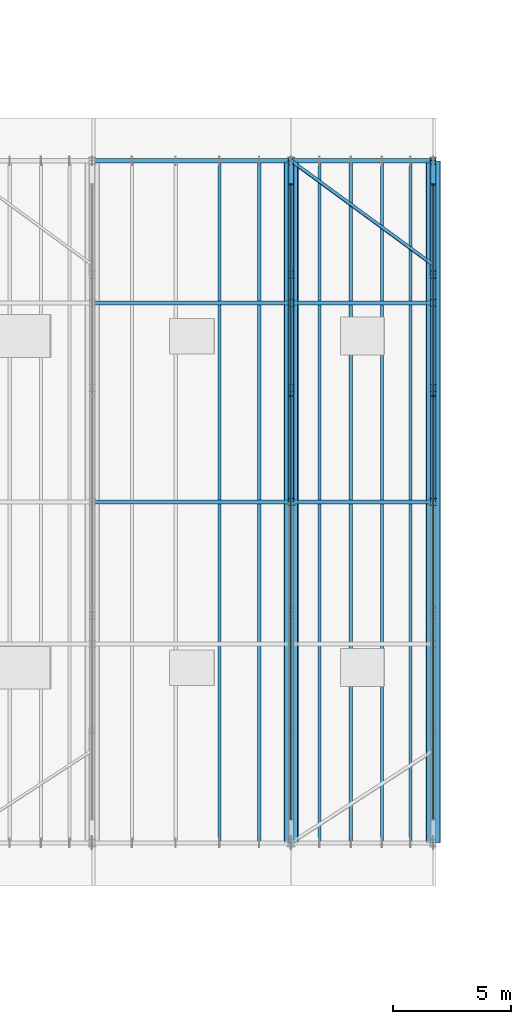
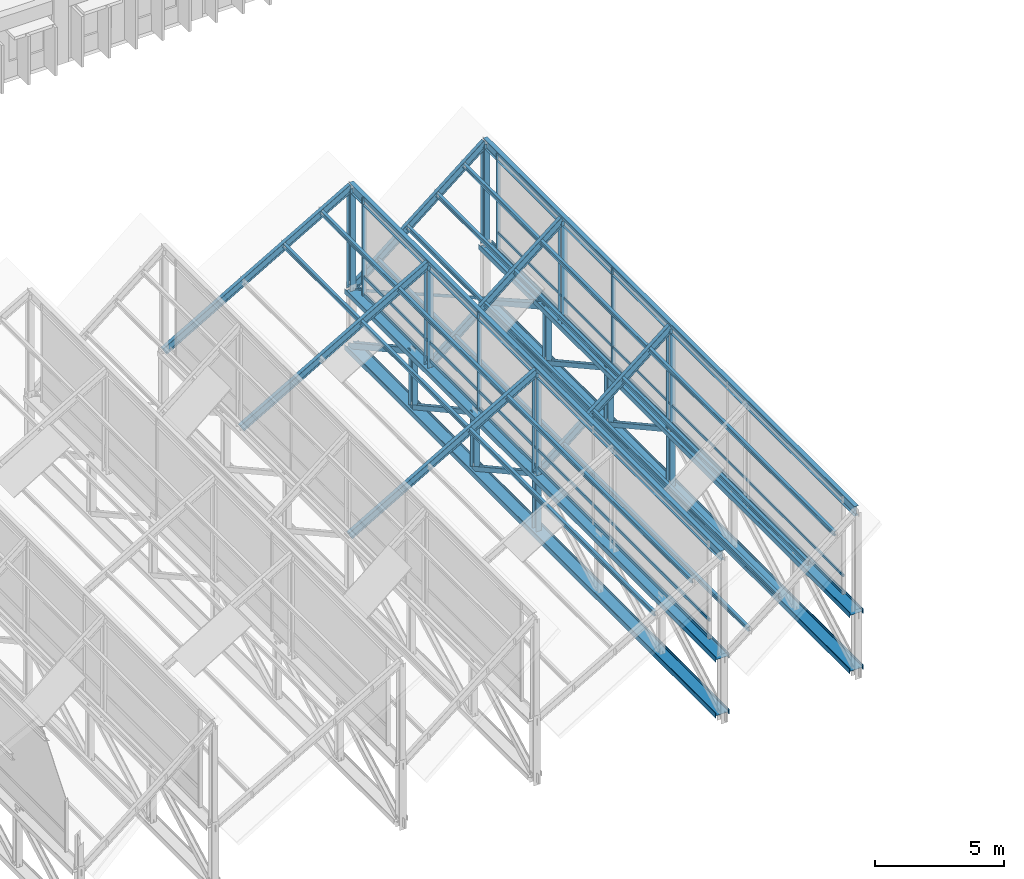
# One storey, part 26 of 101: 39 members, 8 beams, 2 elements without a shape of their own.
"""IFC4 building model written with IfcOpenShell, lengths in metres."""

from ifc_helpers import new_model, si_unit, direction, frame, origin, origin_2d, place, context, subcontext, project, spatial, rectangle, i_section, l_section, extrude, material, material_profile, profile_set, type_object, element, aggregate, save


model = new_model("IFC4")

# Units and contexts
model_context = context("Model", 3, precision=1e-05, world=origin(), true_north=direction((0.0, 1.0)))
body_context = subcontext(model_context, "Body", "Model", "MODEL_VIEW")
ifc_project = project(units=[si_unit("LENGTHUNIT", "METRE"), si_unit("AREAUNIT", "SQUARE_METRE"), si_unit("VOLUMEUNIT", "CUBIC_METRE"), si_unit("PLANEANGLEUNIT", "RADIAN"), si_unit("MASSUNIT", "GRAM", prefix="KILO"), si_unit("THERMODYNAMICTEMPERATUREUNIT", "KELVIN")], contexts=[model_context])

# Site, building, storey
site_placement = place(None, origin())
site = spatial("IfcSite", under=ifc_project, at=site_placement, CompositionType="ELEMENT")
building_placement = place(site_placement, origin())
building = spatial("IfcBuilding", under=site, at=building_placement, Name="Thalorik Housing Commons", CompositionType="ELEMENT")
storey_placement = place(building_placement, frame((0.0, 0.0, 8.10009765625)))
storey = spatial("IfcBuildingStorey", under=building, at=storey_placement, Name="L02", CompositionType="ELEMENT", Elevation=8.10009765625)

# Curtain wall, members
ifc_material_1 = material(Name="Anodised aluminium and solar-control low-E glass", Category="aluminium")
curtain_wall_type = type_object("IfcCurtainWallType", Name="ARC-CW-CLER", PredefinedType="USERDEFINED", material=ifc_material_1)
curtain_wall_1_placement = place(storey_placement, origin())
curtain_wall_1 = element("IfcCurtainWall", 1, at=curtain_wall_1_placement, inside=storey, type_object=curtain_wall_type, Name="L02 Curtain Wall CW-SAW-CLER-07", ObjectType="CURTAIN WALL", PredefinedType="USERDEFINED")
ifc_material_2 = material(Name="Anodised aluminium 6063-T6", Category="aluminium")
ifc_material_profile_1 = material_profile(ifc_material_2, rectangle(XDim=0.06005859375, YDim=0.159912109375, at=origin_2d()), Name="ALU MUL 60x160", Category="aluminium")
ifc_profile_set_1 = profile_set([ifc_material_profile_1], Name="Anodised aluminium 6063-T6")
member_type_1 = type_object("IfcMemberType", Name="ARC-CW-MUL-60x160", PredefinedType="MULLION", material=ifc_profile_set_1)
member_1_placement = place(storey_placement, frame((115.199951171875, 76.466796875, 3.2998046875), z_axis=(0.0, 0.0, 1.0), x_axis=(0.0, 1.0, 0.0)))
member_1 = element("IfcMember", 2, at=member_1_placement, type_object=member_type_1, Name="CW-SAW-CLER-07 Mullion 3", PredefinedType="MULLION", context=body_context, shape_type="SweptSolid", body=[
    extrude(rectangle(XDim=0.06005859375, YDim=0.159912109375, at=origin_2d()), origin(), (0.0, 0.0, 1.0), 4.650146484375),
])
member_2_placement = place(storey_placement, frame((115.199951171875, 85.39990234375, 3.2998046875), z_axis=(0.0, 0.0, 1.0), x_axis=(0.0, 1.0, 0.0)))
member_2 = element("IfcMember", 3, at=member_2_placement, type_object=member_type_1, Name="CW-SAW-CLER-07 Mullion 4", PredefinedType="MULLION", context=body_context, shape_type="SweptSolid", body=[
    extrude(rectangle(XDim=0.06005859375, YDim=0.159912109375, at=origin_2d()), origin(), (0.0, 0.0, 1.0), 4.650146484375),
])

curtain_wall_2_placement = place(storey_placement, origin())
curtain_wall_2 = element("IfcCurtainWall", 4, at=curtain_wall_2_placement, inside=storey, type_object=curtain_wall_type, Name="L02 Curtain Wall CW-SAW-CLER-06", ObjectType="CURTAIN WALL", PredefinedType="USERDEFINED")
ifc_material_profile_2 = material_profile(ifc_material_2, rectangle(XDim=0.06494140625, YDim=0.179931640625, at=origin_2d()), Name="ALU MUL 65x180", Category="aluminium")
ifc_profile_set_2 = profile_set([ifc_material_profile_2], Name="Anodised aluminium 6063-T6")
member_type_2 = type_object("IfcMemberType", Name="ARC-CW-MUL-65x180", PredefinedType="MULLION", material=ifc_profile_set_2)
member_3_placement = place(storey_placement, frame((109.199951171875, 76.466796875, 3.2998046875), z_axis=(0.0, 0.0, 1.0), x_axis=(0.0, 1.0, 0.0)))
member_3 = element("IfcMember", 5, at=member_3_placement, type_object=member_type_2, Name="CW-SAW-CLER-06 Mullion 3", PredefinedType="MULLION", context=body_context, shape_type="SweptSolid", body=[
    extrude(rectangle(XDim=0.06494140625, YDim=0.179931640625, at=origin_2d()), origin(), (0.0, 0.0, 1.0), 4.650146484375),
])
member_4_placement = place(storey_placement, frame((109.199951171875, 85.39990234375, 3.2998046875), z_axis=(0.0, 0.0, 1.0), x_axis=(0.0, 1.0, 0.0)))
member_4 = element("IfcMember", 6, at=member_4_placement, type_object=member_type_2, Name="CW-SAW-CLER-06 Mullion 4", PredefinedType="MULLION", context=body_context, shape_type="SweptSolid", body=[
    extrude(rectangle(XDim=0.06494140625, YDim=0.179931640625, at=origin_2d()), origin(), (0.0, 0.0, 1.0), 4.650146484375),
])

# Member
ifc_material_profile_3 = material_profile(ifc_material_2, rectangle(XDim=0.06005859375, YDim=0.1201171875, at=origin_2d()), Name="ALU TRN 60x120", Category="aluminium")
ifc_profile_set_3 = profile_set([ifc_material_profile_3], Name="Anodised aluminium 6063-T6")
member_type_3 = type_object("IfcMemberType", Name="ARC-CW-TRN-60x120", PredefinedType="USERDEFINED", material=ifc_profile_set_3)
member_5_placement = place(storey_placement, frame((115.199951171875, 58.60009765625, 3.35498046875), z_axis=(0.0, 1.0, 0.0), x_axis=(-1.0, 0.0, 0.0)))
member_5 = element("IfcMember", 7, at=member_5_placement, type_object=member_type_3, Name="CW-SAW-CLER-07 Transom 1", ObjectType="TRANSOM", PredefinedType="USERDEFINED", context=body_context, shape_type="SweptSolid", body=[
    extrude(rectangle(XDim=0.06005859375, YDim=0.1201171875, at=origin_2d()), origin(), (0.0, 0.0, 1.0), 26.7998046875),
])

member_6_placement = place(storey_placement, frame((115.199951171875, 58.60009765625, 4.179931640625), z_axis=(0.0, 1.0, 0.0), x_axis=(-1.0, 0.0, 0.0)))
member_6 = element("IfcMember", 8, at=member_6_placement, type_object=member_type_3, Name="CW-SAW-CLER-07 Transom 2", ObjectType="TRANSOM", PredefinedType="USERDEFINED", context=body_context, shape_type="SweptSolid", body=[
    extrude(rectangle(XDim=0.06005859375, YDim=0.1201171875, at=origin_2d()), origin(), (0.0, 0.0, 1.0), 26.7998046875),
])

member_7_placement = place(storey_placement, frame((115.199951171875, 58.60009765625, 7.89501953125), z_axis=(0.0, 1.0, 0.0), x_axis=(-1.0, 0.0, 0.0)))
member_7 = element("IfcMember", 9, at=member_7_placement, type_object=member_type_3, Name="CW-SAW-CLER-07 Transom 3", ObjectType="TRANSOM", PredefinedType="USERDEFINED", context=body_context, shape_type="SweptSolid", body=[
    extrude(rectangle(XDim=0.06005859375, YDim=0.1201171875, at=origin_2d()), origin(), (0.0, 0.0, 1.0), 26.7998046875),
])

aggregate(curtain_wall_1, [member_1, member_2, member_5, member_6, member_7])

ifc_material_profile_4 = material_profile(ifc_material_2, rectangle(XDim=0.06494140625, YDim=0.14990234375, at=origin_2d()), Name="ALU TRN 65x150", Category="aluminium")
ifc_profile_set_4 = profile_set([ifc_material_profile_4], Name="Anodised aluminium 6063-T6")
member_type_4 = type_object("IfcMemberType", Name="ARC-CW-TRN-65x150", PredefinedType="USERDEFINED", material=ifc_profile_set_4)
member_8_placement = place(storey_placement, frame((109.199951171875, 58.60009765625, 3.35498046875), z_axis=(0.0, 1.0, 0.0), x_axis=(-1.0, 0.0, 0.0)))
member_8 = element("IfcMember", 10, at=member_8_placement, type_object=member_type_4, Name="CW-SAW-CLER-06 Transom 1", ObjectType="TRANSOM", PredefinedType="USERDEFINED", context=body_context, shape_type="SweptSolid", body=[
    extrude(rectangle(XDim=0.06494140625, YDim=0.14990234375, at=origin_2d()), origin(), (0.0, 0.0, 1.0), 26.7998046875),
])

member_9_placement = place(storey_placement, frame((109.199951171875, 58.60009765625, 4.179931640625), z_axis=(0.0, 1.0, 0.0), x_axis=(-1.0, 0.0, 0.0)))
member_9 = element("IfcMember", 11, at=member_9_placement, type_object=member_type_4, Name="CW-SAW-CLER-06 Transom 2", ObjectType="TRANSOM", PredefinedType="USERDEFINED", context=body_context, shape_type="SweptSolid", body=[
    extrude(rectangle(XDim=0.06494140625, YDim=0.14990234375, at=origin_2d()), origin(), (0.0, 0.0, 1.0), 26.7998046875),
])

member_10_placement = place(storey_placement, frame((109.199951171875, 58.60009765625, 7.89501953125), z_axis=(0.0, 1.0, 0.0), x_axis=(-1.0, 0.0, 0.0)))
member_10 = element("IfcMember", 12, at=member_10_placement, type_object=member_type_4, Name="CW-SAW-CLER-06 Transom 3", ObjectType="TRANSOM", PredefinedType="USERDEFINED", context=body_context, shape_type="SweptSolid", body=[
    extrude(rectangle(XDim=0.06494140625, YDim=0.14990234375, at=origin_2d()), origin(), (0.0, 0.0, 1.0), 26.7998046875),
])

aggregate(curtain_wall_2, [member_3, member_4, member_8, member_9, member_10])

# Beams
ifc_material_3 = material(Name="Steel S355", Category="steel")
ifc_material_profile_5 = material_profile(ifc_material_3, i_section(OverallWidth=0.1708984375, OverallDepth=0.35498046875, WebThickness=0.007080078125, FlangeThickness=0.01171875, FilletRadius=0.010009765625, at=origin_2d()), Name="W360x51", Category="steel")
ifc_profile_set_5 = profile_set([ifc_material_profile_5], Name="Steel S355")
beam_type_1 = type_object("IfcBeamType", Name="STR-BM-W360x51", PredefinedType="BEAM", material=ifc_profile_set_5)
for number, where, z_axis, x_axis, name in (
    (13, (100.800048828125, 72.0, 3.0), (0.866017919902, 0.0, 0.500012962241), (0.0, 1.0, 0.0), "L02 Sawtooth Bay 6 Rafter 3"),
    (14, (100.800048828125, 80.39990234375, 3.0), (0.866017919902, 0.0, 0.500012962241), (0.0, 1.0, 0.0), "L02 Sawtooth Bay 6 Rafter 4"),
    (15, (100.800048828125, 86.39990234375, 3.0), (0.866017919902, 0.0, 0.500012962241), (0.0, 1.0, 0.0), "L02 Sawtooth Bay 6 Rafter 5"),
):
    element("IfcBeam", number, at=place(storey_placement, frame(where, z_axis=z_axis, x_axis=x_axis)), inside=storey, type_object=beam_type_1, Name=name, PredefinedType="BEAM", context=body_context, shape_type="SweptSolid", body=[
        extrude(i_section(OverallWidth=0.1708984375, OverallDepth=0.35498046875, WebThickness=0.007080078125, FlangeThickness=0.01171875, FilletRadius=0.010009765625, at=origin_2d()), origin(), (0.0, 0.0, 1.0), 9.699462890625),
    ])
for number, where, z_axis, x_axis, name in (
    (16, (109.199951171875, 72.0, 3.0), (0.777706721002, 0.0, 0.628627279163), (0.0, 1.0, 0.0), "L02 Sawtooth Bay 7 Rafter 3"),
    (17, (109.199951171875, 80.39990234375, 3.0), (0.777706721002, 0.0, 0.628627279163), (0.0, 1.0, 0.0), "L02 Sawtooth Bay 7 Rafter 4"),
    (18, (109.199951171875, 86.39990234375, 3.0), (0.777706721002, 0.0, 0.628627279163), (0.0, 1.0, 0.0), "L02 Sawtooth Bay 7 Rafter 5"),
):
    element("IfcBeam", number, at=place(storey_placement, frame(where, z_axis=z_axis, x_axis=x_axis)), inside=storey, type_object=beam_type_1, Name=name, PredefinedType="BEAM", context=body_context, shape_type="SweptSolid", body=[
        extrude(i_section(OverallWidth=0.1708984375, OverallDepth=0.35498046875, WebThickness=0.007080078125, FlangeThickness=0.01171875, FilletRadius=0.010009765625, at=origin_2d()), origin(), (0.0, 0.0, 1.0), 7.715087890625),
    ])
ifc_material_profile_6 = material_profile(ifc_material_3, i_section(OverallWidth=0.19189453125, OverallDepth=0.462890625, WebThickness=0.010498046875, FlangeThickness=0.017578125, FilletRadius=0.011962890625, at=origin_2d()), Name="W460x89", Category="steel")
ifc_profile_set_6 = profile_set([ifc_material_profile_6], Name="Steel S355")
beam_type_2 = type_object("IfcBeamType", Name="STR-BM-W460x89", PredefinedType="BEAM", material=ifc_profile_set_6)
for number, where, z_axis, x_axis, name in (
    (19, (109.199951171875, 57.60009765625, 7.849853515625), (0.0, 1.0, 0.0), (-1.0, 0.0, 0.0), "L02 Sawtooth Bay 6 Ridge Collector Beam"),
    (20, (115.199951171875, 57.60009765625, 7.849853515625), (0.0, 1.0, 0.0), (-1.0, 0.0, 0.0), "L02 Sawtooth Bay 7 Ridge Collector Beam"),
):
    element("IfcBeam", number, at=place(storey_placement, frame(where, z_axis=z_axis, x_axis=x_axis)), inside=storey, type_object=beam_type_2, Name=name, PredefinedType="BEAM", context=body_context, shape_type="SweptSolid", body=[
        extrude(i_section(OverallWidth=0.19189453125, OverallDepth=0.462890625, WebThickness=0.010498046875, FlangeThickness=0.017578125, FilletRadius=0.011962890625, at=origin_2d()), origin(), (0.0, 0.0, 1.0), 28.7998046875),
    ])

# Members
ifc_material_profile_7 = material_profile(ifc_material_3, i_section(OverallWidth=0.22998046875, OverallDepth=0.616943359375, WebThickness=0.01318359375, FlangeThickness=0.022216796875, FilletRadius=0.012939453125, at=origin_2d()), Name="W610x140", Category="steel")
ifc_profile_set_7 = profile_set([ifc_material_profile_7], Name="Steel S355")
member_type_5 = type_object("IfcMemberType", Name="STR-MEM-CHORD-BOT", PredefinedType="CHORD", material=ifc_profile_set_7)
for number, where, z_axis, x_axis, name in (
    (21, (109.199951171875, 57.60009765625, 0.349853515625), (0.0, 1.0, 0.0), (0.0, 0.0, 1.0), "L02 Sawtooth Truss 7 Bottom Chord"),
    (22, (115.199951171875, 57.60009765625, 0.349853515625), (0.0, 1.0, 0.0), (0.0, 0.0, 1.0), "L02 Sawtooth Truss 8 Bottom Chord"),
):
    element("IfcMember", number, at=place(storey_placement, frame(where, z_axis=z_axis, x_axis=x_axis)), inside=storey, type_object=member_type_5, Name=name, PredefinedType="CHORD", context=body_context, shape_type="SweptSolid", body=[
        extrude(i_section(OverallWidth=0.22998046875, OverallDepth=0.616943359375, WebThickness=0.01318359375, FlangeThickness=0.022216796875, FilletRadius=0.012939453125, at=origin_2d()), origin(), (0.0, 0.0, 1.0), 28.7998046875),
    ])
ifc_material_profile_8 = material_profile(ifc_material_3, i_section(OverallWidth=0.22802734375, OverallDepth=0.60791015625, WebThickness=0.01123046875, FlangeThickness=0.017333984375, FilletRadius=0.012939453125, at=origin_2d()), Name="W610x113", Category="steel")
ifc_profile_set_8 = profile_set([ifc_material_profile_8], Name="Steel S355")
member_type_6 = type_object("IfcMemberType", Name="STR-MEM-CHORD-TOP", PredefinedType="CHORD", material=ifc_profile_set_8)
for number, where, z_axis, x_axis, name in (
    (23, (109.199951171875, 57.60009765625, 3.0), (0.0, 1.0, 0.0), (0.0, 0.0, 1.0), "L02 Sawtooth Truss 7 Valley Chord"),
    (24, (115.199951171875, 57.60009765625, 3.0), (0.0, 1.0, 0.0), (0.0, 0.0, 1.0), "L02 Sawtooth Truss 8 Valley Chord"),
):
    element("IfcMember", number, at=place(storey_placement, frame(where, z_axis=z_axis, x_axis=x_axis)), inside=storey, type_object=member_type_6, Name=name, PredefinedType="CHORD", context=body_context, shape_type="SweptSolid", body=[
        extrude(i_section(OverallWidth=0.22802734375, OverallDepth=0.60791015625, WebThickness=0.01123046875, FlangeThickness=0.017333984375, FilletRadius=0.012939453125, at=origin_2d()), origin(), (0.0, 0.0, 1.0), 28.7998046875),
    ])
ifc_material_profile_9 = material_profile(ifc_material_3, i_section(OverallWidth=0.201904296875, OverallDepth=0.2470703125, WebThickness=0.00732421875, FlangeThickness=0.010986328125, FilletRadius=0.010009765625, at=origin_2d()), Name="W250x49", Category="steel")
ifc_profile_set_9 = profile_set([ifc_material_profile_9], Name="Steel S355")
member_type_7 = type_object("IfcMemberType", Name="STR-MEM-DIAG-250", PredefinedType="BRACE", material=ifc_profile_set_9)
for number, where, z_axis, x_axis, name in (
    (25, (109.199951171875, 72.0, 3.0), (0.0, 0.875435421067, -0.48333510481), (0.0, 0.48333510481, 0.875435421067), "L02 Sawtooth Truss 7 Web Diagonal 4"),
    (26, (109.199951171875, 76.800048828125, 3.0), (0.0, 0.875435421067, -0.48333510481), (0.0, 0.48333510481, 0.875435421067), "L02 Sawtooth Truss 7 Web Diagonal 5"),
    (27, (115.199951171875, 72.0, 3.0), (0.0, 0.875435421067, -0.48333510481), (0.0, 0.48333510481, 0.875435421067), "L02 Sawtooth Truss 8 Web Diagonal 4"),
    (28, (115.199951171875, 76.800048828125, 3.0), (0.0, 0.875435421067, -0.48333510481), (0.0, 0.48333510481, 0.875435421067), "L02 Sawtooth Truss 8 Web Diagonal 5"),
):
    element("IfcMember", number, at=place(storey_placement, frame(where, z_axis=z_axis, x_axis=x_axis)), inside=storey, type_object=member_type_7, Name=name, PredefinedType="BRACE", context=body_context, shape_type="SweptSolid", body=[
        extrude(i_section(OverallWidth=0.201904296875, OverallDepth=0.2470703125, WebThickness=0.00732421875, FlangeThickness=0.010986328125, FilletRadius=0.010009765625, at=origin_2d()), origin(), (0.0, 0.0, 1.0), 5.483154296875),
    ])
ifc_material_profile_10 = material_profile(ifc_material_3, i_section(OverallWidth=0.25390625, OverallDepth=0.2529296875, WebThickness=0.008544921875, FlangeThickness=0.01416015625, FilletRadius=0.010009765625, at=origin_2d()), Name="W250x73", Category="steel")
ifc_profile_set_10 = profile_set([ifc_material_profile_10], Name="Steel S355")
member_type_8 = type_object("IfcMemberType", Name="STR-MEM-DIAG-250H", PredefinedType="BRACE", material=ifc_profile_set_10)
for number, where, z_axis, x_axis, name in (
    (29, (109.199951171875, 81.60009765625, 3.0), (0.0, 0.875425018498, -0.48335394587), (0.0, 0.48335394587, 0.875425018498), "L02 Sawtooth Truss 7 Web Diagonal 6"),
    (30, (115.199951171875, 81.60009765625, 3.0), (0.0, 0.875425018498, -0.48335394587), (0.0, 0.48335394587, 0.875425018498), "L02 Sawtooth Truss 8 Web Diagonal 6"),
):
    element("IfcMember", number, at=place(storey_placement, frame(where, z_axis=z_axis, x_axis=x_axis)), inside=storey, type_object=member_type_8, Name=name, PredefinedType="BRACE", context=body_context, shape_type="SweptSolid", body=[
        extrude(i_section(OverallWidth=0.25390625, OverallDepth=0.2529296875, WebThickness=0.008544921875, FlangeThickness=0.01416015625, FilletRadius=0.010009765625, at=origin_2d()), origin(), (0.0, 0.0, 1.0), 5.48291015625),
    ])
ifc_material_profile_11 = material_profile(ifc_material_3, i_section(OverallWidth=0.25390625, OverallDepth=0.305908203125, WebThickness=0.0087890625, FlangeThickness=0.0146484375, FilletRadius=0.010009765625, at=origin_2d()), Name="W310x79", Category="steel")
ifc_profile_set_11 = profile_set([ifc_material_profile_11], Name="Steel S355")
member_type_9 = type_object("IfcMemberType", Name="STR-MEM-POST-310", PredefinedType="POST", material=ifc_profile_set_11)
for number, where, z_axis, x_axis, name in (
    (31, (109.199951171875, 72.0, 0.349853515625), (0.0, 0.0, 1.0), (1.0, 0.0, 0.0), "L02 Sawtooth Truss 7 Vertical 3"),
    (32, (109.199951171875, 76.800048828125, 0.349853515625), (0.0, 0.0, 1.0), (1.0, 0.0, 0.0), "L02 Sawtooth Truss 7 Vertical 4"),
    (33, (109.199951171875, 81.60009765625, 0.349853515625), (0.0, 0.0, 1.0), (1.0, 0.0, 0.0), "L02 Sawtooth Truss 7 Vertical 5"),
    (34, (115.199951171875, 72.0, 0.349853515625), (0.0, 0.0, 1.0), (1.0, 0.0, 0.0), "L02 Sawtooth Truss 8 Vertical 3"),
    (35, (115.199951171875, 76.800048828125, 0.349853515625), (0.0, 0.0, 1.0), (1.0, 0.0, 0.0), "L02 Sawtooth Truss 8 Vertical 4"),
    (36, (115.199951171875, 81.60009765625, 0.349853515625), (0.0, 0.0, 1.0), (1.0, 0.0, 0.0), "L02 Sawtooth Truss 8 Vertical 5"),
):
    element("IfcMember", number, at=place(storey_placement, frame(where, z_axis=z_axis, x_axis=x_axis)), inside=storey, type_object=member_type_9, Name=name, PredefinedType="POST", context=body_context, shape_type="SweptSolid", body=[
        extrude(i_section(OverallWidth=0.25390625, OverallDepth=0.305908203125, WebThickness=0.0087890625, FlangeThickness=0.0146484375, FilletRadius=0.010009765625, at=origin_2d()), origin(), (0.0, 0.0, 1.0), 2.650146484375),
    ])
for number, where, z_axis, x_axis, name in (
    (37, (109.199951171875, 72.0, 3.0), (0.0, 0.0, 1.0), (1.0, 0.0, 0.0), "L02 Sawtooth Bay 6 Clerestory Post 3"),
    (38, (109.199951171875, 80.39990234375, 3.0), (0.0, 0.0, 1.0), (1.0, 0.0, 0.0), "L02 Sawtooth Bay 6 Clerestory Post 4"),
    (39, (109.199951171875, 86.39990234375, 3.0), (0.0, 0.0, 1.0), (1.0, 0.0, 0.0), "L02 Sawtooth Bay 6 Clerestory Post 5"),
    (40, (115.199951171875, 72.0, 3.0), (0.0, 0.0, 1.0), (1.0, 0.0, 0.0), "L02 Sawtooth Bay 7 Clerestory Post 3"),
    (41, (115.199951171875, 80.39990234375, 3.0), (0.0, 0.0, 1.0), (1.0, 0.0, 0.0), "L02 Sawtooth Bay 7 Clerestory Post 4"),
    (42, (115.199951171875, 86.39990234375, 3.0), (0.0, 0.0, 1.0), (1.0, 0.0, 0.0), "L02 Sawtooth Bay 7 Clerestory Post 5"),
):
    element("IfcMember", number, at=place(storey_placement, frame(where, z_axis=z_axis, x_axis=x_axis)), inside=storey, type_object=member_type_9, Name=name, PredefinedType="POST", context=body_context, shape_type="SweptSolid", body=[
        extrude(i_section(OverallWidth=0.25390625, OverallDepth=0.305908203125, WebThickness=0.0087890625, FlangeThickness=0.0146484375, FilletRadius=0.010009765625, at=origin_2d()), origin(), (0.0, 0.0, 1.0), 4.849853515625),
    ])
ifc_material_profile_12 = material_profile(ifc_material_3, i_section(OverallWidth=0.133056640625, OverallDepth=0.20703125, WebThickness=0.005859375, FlangeThickness=0.00830078125, FilletRadius=0.008056640625, at=origin_2d()), Name="W200x27", Category="steel")
ifc_profile_set_12 = profile_set([ifc_material_profile_12], Name="Steel S355")
member_type_10 = type_object("IfcMemberType", Name="STR-MEM-PUR-200", PredefinedType="PURLIN", material=ifc_profile_set_12)
for number, where, z_axis, x_axis, name in (
    (43, (106.176025390625, 57.60009765625, 6.143798828125), (0.0, 1.0, 0.0), (-1.0, 0.0, 0.0), "L02 Sawtooth Bay 6 Roof Purlin 3"),
    (44, (107.85595703125, 57.60009765625, 7.114013671875), (0.0, 1.0, 0.0), (-1.0, 0.0, 0.0), "L02 Sawtooth Bay 6 Roof Purlin 4"),
    (45, (110.39990234375, 57.60009765625, 3.93408203125), (0.0, 1.0, 0.0), (-1.0, 0.0, 0.0), "L02 Sawtooth Bay 7 Roof Purlin 1"),
    (46, (111.719970703125, 57.60009765625, 5.05615234375), (0.0, 1.0, 0.0), (-1.0, 0.0, 0.0), "L02 Sawtooth Bay 7 Roof Purlin 2"),
    (47, (113.0400390625, 57.60009765625, 6.143798828125), (0.0, 1.0, 0.0), (-1.0, 0.0, 0.0), "L02 Sawtooth Bay 7 Roof Purlin 3"),
    (48, (114.239990234375, 57.60009765625, 7.114013671875), (0.0, 1.0, 0.0), (-1.0, 0.0, 0.0), "L02 Sawtooth Bay 7 Roof Purlin 4"),
):
    element("IfcMember", number, at=place(storey_placement, frame(where, z_axis=z_axis, x_axis=x_axis)), inside=storey, type_object=member_type_10, Name=name, PredefinedType="PURLIN", context=body_context, shape_type="SweptSolid", body=[
        extrude(i_section(OverallWidth=0.133056640625, OverallDepth=0.20703125, WebThickness=0.005859375, FlangeThickness=0.00830078125, FilletRadius=0.008056640625, at=origin_2d()), origin(), (0.0, 0.0, 1.0), 28.7998046875),
    ])
ifc_material_profile_13 = material_profile(ifc_material_3, l_section(Depth=0.14990234375, Width=0.14990234375, Thickness=0.013916015625, FilletRadius=0.010009765625, at=origin_2d()), Name="L150x150x14", Category="steel")
ifc_profile_set_13 = profile_set([ifc_material_profile_13], Name="Steel S355")
member_type_11 = type_object("IfcMemberType", Name="STR-MEM-TIE-L150", PredefinedType="BRACE", material=ifc_profile_set_13)
member_11_placement = place(storey_placement, frame((109.199951171875, 86.39990234375, 3.0), z_axis=(0.80641125493, -0.591355128432, 0.0), x_axis=(0.591355128432, 0.80641125493, 0.0)))
element("IfcMember", 49, at=member_11_placement, inside=storey, type_object=member_type_11, Name="L02 Sawtooth Bay 7 Wind Brace N", PredefinedType="BRACE", context=body_context, shape_type="SweptSolid", body=[
    extrude(l_section(Depth=0.14990234375, Width=0.14990234375, Thickness=0.013916015625, FilletRadius=0.010009765625, at=origin_2d()), origin(), (0.0, 0.0, 1.0), 7.4404296875),
])

save(model, "model.ifc")
